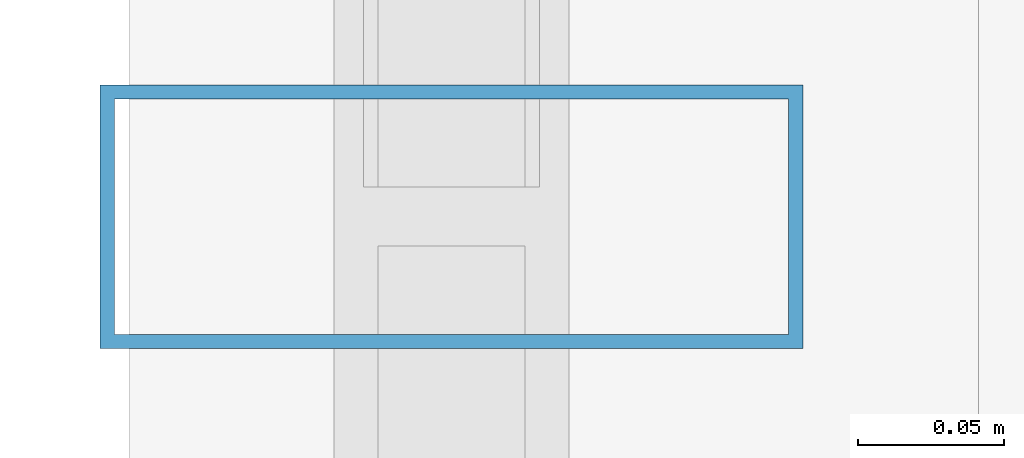
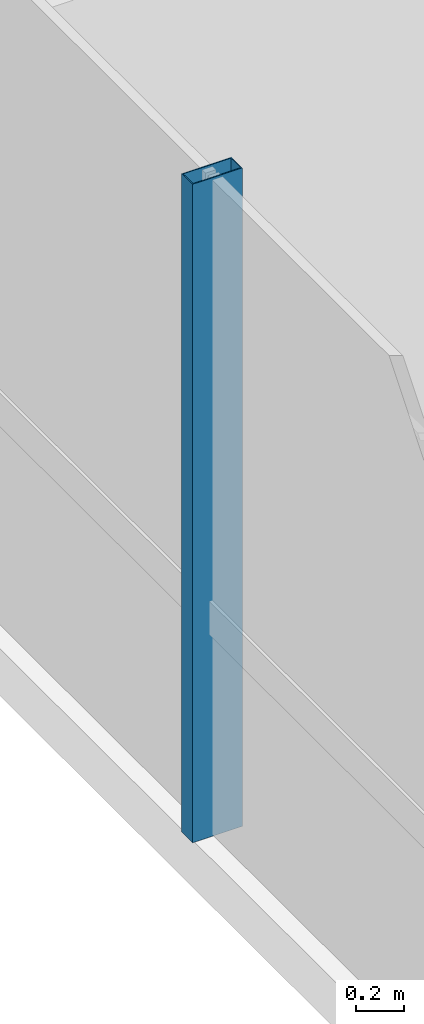
# One storey, part 5 of 17: 1 member, 1 element without a shape of its own.
"""IFC4 building model written with IfcOpenShell, lengths in metres."""

from ifc_helpers import new_model, si_unit, direction, frame, origin, origin_2d, place, context, subcontext, project, spatial, hollow_rectangle, extrude, source, transform, mapped, material, material_profile, profile_set, type_object, element, aggregate, save


model = new_model("IFC4")

# Units and contexts
model_context = context("Model", 3, precision=1e-05, world=origin(), true_north=direction((0.0, 1.0)))
body_context = subcontext(model_context, "Body", "Model", "MODEL_VIEW")
ifc_project = project(units=[si_unit("LENGTHUNIT", "METRE"), si_unit("AREAUNIT", "SQUARE_METRE"), si_unit("VOLUMEUNIT", "CUBIC_METRE"), si_unit("PLANEANGLEUNIT", "RADIAN"), si_unit("MASSUNIT", "GRAM", prefix="KILO")], contexts=[model_context])

# Site, building, storey
site_placement = place(None, origin())
site = spatial("IfcSite", under=ifc_project, at=site_placement, CompositionType="ELEMENT")
building_placement = place(site_placement, origin())
building = spatial("IfcBuilding", under=site, at=building_placement, Name="Valdorenza Pilgrim Sanctuary Tower", CompositionType="ELEMENT")
storey_placement = place(building_placement, frame((0.0, 0.0, 287.0)))
storey = spatial("IfcBuildingStorey", under=building, at=storey_placement, Name="L75", CompositionType="ELEMENT", Elevation=287.0)

# Curtain wall, member
ifc_material_1 = material(Name="Curtain-wall IGU glazing", Category="glass")
curtain_wall_type = type_object("IfcCurtainWallType", Name="CW-SYS-04", PredefinedType="NOTDEFINED", material=ifc_material_1)
curtain_wall_placement = place(storey_placement, origin())
curtain_wall = element("IfcCurtainWall", 1, at=curtain_wall_placement, inside=storey, type_object=curtain_wall_type, Name="L75 Curtain Wall CW-L75-1-1", PredefinedType="NOTDEFINED")
ifc_material_2 = material(Name="Anodised aluminium AW-6060", Category="aluminium")
ifc_material_profile = material_profile(ifc_material_2, hollow_rectangle(XDim=0.090087890625, YDim=0.239990234375, WallThickness=0.0048828125, at=origin_2d()), Name="ALU-M 240x90x5")
ifc_profile_set = profile_set([ifc_material_profile], Name="Anodised aluminium AW-6060")
member_type = type_object("IfcMemberType", Name="CW-MUL-04", PredefinedType="MULLION", material=ifc_profile_set)
shared_shape = source(origin(), body_context, "Body", "SweptSolid", [
    extrude(hollow_rectangle(XDim=0.090087890625, YDim=0.239990234375, WallThickness=0.0048828125, at=origin_2d()), origin(), (0.0, 0.0, 1.0), 3.360107421875),
])
member_placement = place(storey_placement, frame((-30.389892578125, 1.07373046875, 0.0), z_axis=(0.0, 0.0, 1.0), x_axis=(0.0, 1.0, 0.0)))
member = element("IfcMember", 2, at=member_placement, type_object=member_type, Name="CW-L75-1-1 Mullion 3", PredefinedType="MULLION", context=body_context, shape_type="MappedRepresentation", body=[
    mapped(shared_shape, transform((0.0, 0.0, 0.0), x_axis=(1.0, 0.0, 0.0), y_axis=(0.0, 1.0, 0.0), z_axis=(0.0, 0.0, 1.0), scale=1.0)),
])
aggregate(curtain_wall, [member])

save(model, "model.ifc")
